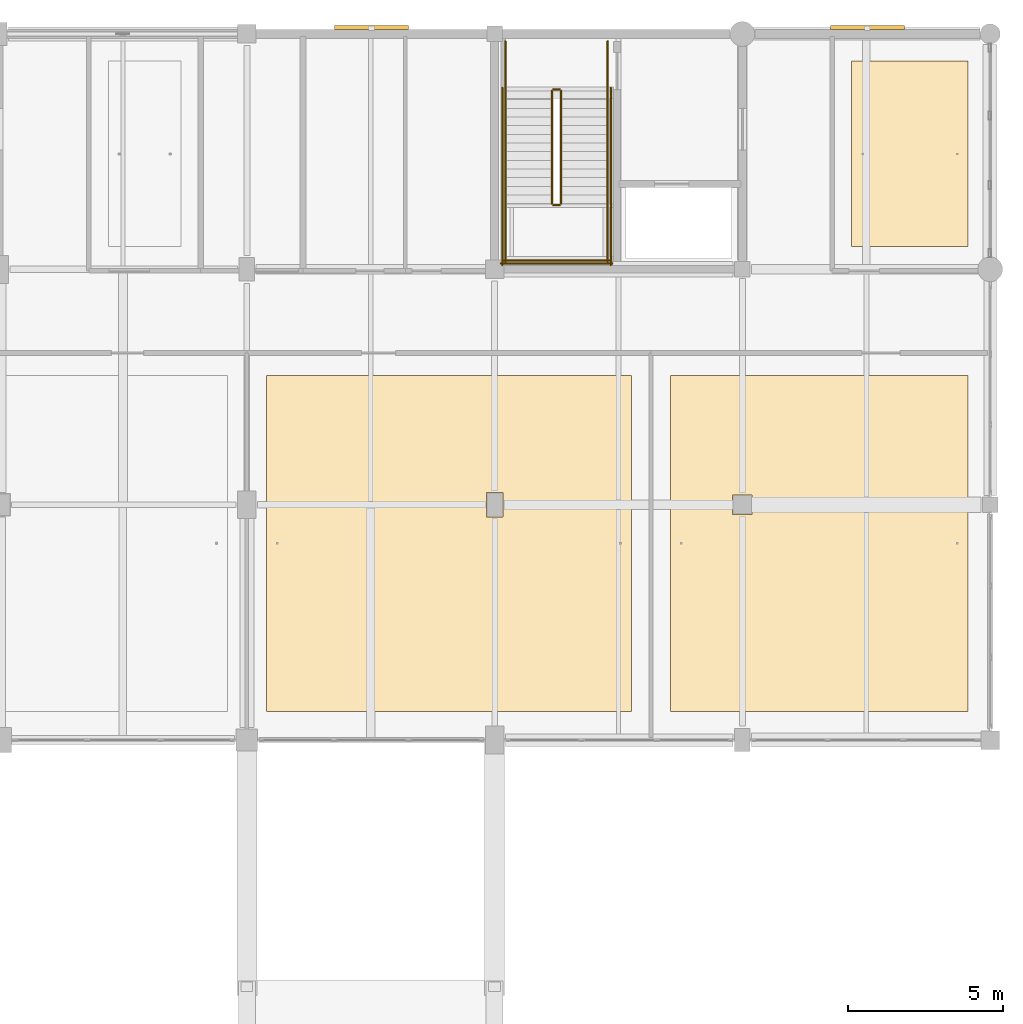
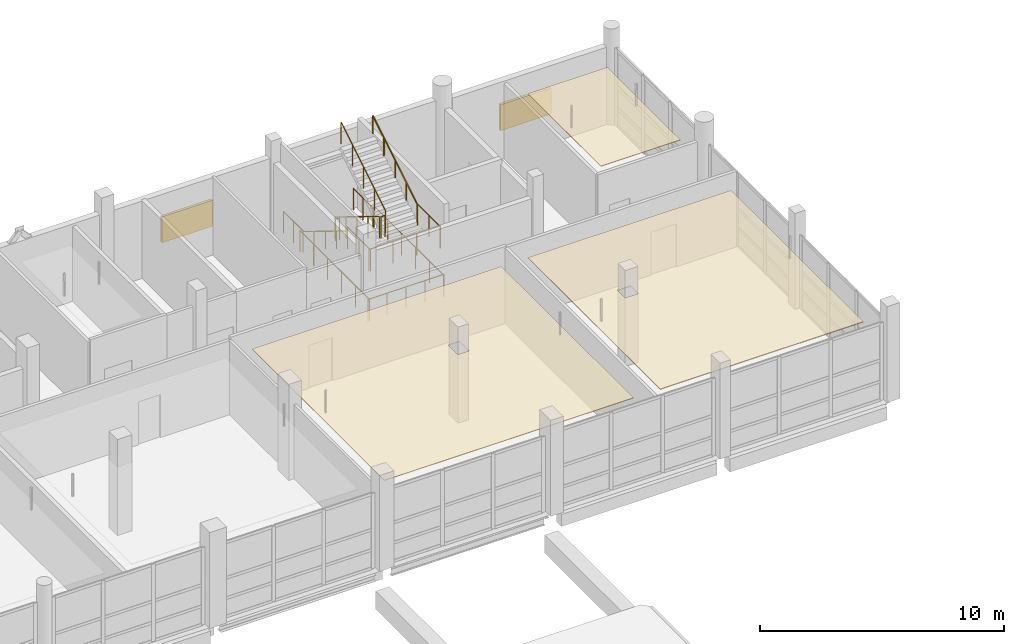
# One storey, part 107 of 107: 14 railings, 3 coverings, 2 shading devices.
"""IFC4 building model written with IfcOpenShell, lengths in metres."""

from ifc_helpers import new_model, si_unit, direction, frame, origin, origin_2d, place, context, subcontext, project, spatial, polyline, rectangle, circle, outline, extrude, material, layer, layer_set, type_object, element, save


model = new_model("IFC4")

# Units and contexts
model_context = context("Model", 3, precision=1e-05, world=origin(), true_north=direction((0.0, 1.0)))
body_context = subcontext(model_context, "Body", "Model", "MODEL_VIEW")
ifc_project = project(units=[si_unit("LENGTHUNIT", "METRE"), si_unit("AREAUNIT", "SQUARE_METRE"), si_unit("VOLUMEUNIT", "CUBIC_METRE"), si_unit("PLANEANGLEUNIT", "RADIAN"), si_unit("MASSUNIT", "GRAM", prefix="KILO")], contexts=[model_context])

# Site, building, storey
site_placement = place(None, origin())
site = spatial("IfcSite", under=ifc_project, at=site_placement, CompositionType="ELEMENT")
building_placement = place(site_placement, origin())
building = spatial("IfcBuilding", under=site, at=building_placement, Name="Khelvaren Railside Concert Hall", CompositionType="ELEMENT")
storey_placement = place(building_placement, frame((0.0, 0.0, 15.0)))
storey = spatial("IfcBuildingStorey", under=building, at=storey_placement, Name="L03", CompositionType="ELEMENT", Elevation=15.0)

# Coverings
ifc_material_1 = material(Name="Mineral-wool acoustic baffle ceiling", Category="gypsum")
ifc_layer_1 = layer(ifc_material_1, 0.0400390625)
ifc_layer_set_1 = layer_set([ifc_layer_1], Name="Mineral-wool acoustic baffle ceiling")
covering_type_1 = type_object("IfcCoveringType", Name="CLG20", PredefinedType="CEILING", material=ifc_layer_set_1)
covering_1_placement = place(storey_placement, frame((0.0, 0.0, 3.409912109375)))
element("IfcCovering", 1, at=covering_1_placement, inside=storey, type_object=covering_type_1, Name="Suspended Acoustic Ceiling Keyboard Tuning and Regulation Workshop", PredefinedType="CEILING", context=body_context, shape_type="SweptSolid", body=[
    extrude(outline(polyline([(173.677001953125, 92.1298828125), (183.2900390625, 92.1298828125), (183.2900390625, 102.969970703125), (173.677001953125, 102.969970703125), (173.677001953125, 92.1298828125)]), holes=[polyline([(175.68505859375, 98.485107421875), (176.31494140625, 98.485107421875), (176.31494140625, 99.114990234375), (175.68505859375, 99.114990234375), (175.68505859375, 98.485107421875)])]), origin(), (0.0, 0.0, 1.0), 0.0400390625),
])
ifc_material_2 = material(Name="Micro-perforated timber acoustic ceiling", Category="wood")
ifc_layer_2 = layer(ifc_material_2, 0.030029296875)
ifc_layer_set_2 = layer_set([ifc_layer_2], Name="Micro-perforated timber acoustic ceiling")
covering_type_2 = type_object("IfcCoveringType", Name="CLG77", PredefinedType="CEILING", material=ifc_layer_set_2)
covering_2_placement = place(storey_placement, frame((0.0, 0.0, 3.419921875)))
element("IfcCovering", 2, at=covering_2_placement, inside=storey, type_object=covering_type_2, Name="Suspended Acoustic Ceiling Performance Manuscript Lending Library", PredefinedType="CEILING", context=body_context, shape_type="SweptSolid", body=[
    extrude(outline(polyline([(160.6298828125, 92.1298828125), (172.4169921875, 92.1298828125), (172.4169921875, 102.969970703125), (160.6298828125, 102.969970703125), (160.6298828125, 92.1298828125)]), holes=[polyline([(167.735107421875, 98.409912109375), (168.264892578125, 98.409912109375), (168.264892578125, 99.18994140625), (167.735107421875, 99.18994140625), (167.735107421875, 98.409912109375)])]), origin(), (0.0, 0.0, 1.0), 0.030029296875),
])
covering_3_placement = place(storey_placement, frame((0.0, 0.0, 3.419921875)))
element("IfcCovering", 3, at=covering_3_placement, inside=storey, type_object=covering_type_2, Name="Suspended Acoustic Ceiling Ensemble Coaching Suite L03", PredefinedType="CEILING", context=body_context, shape_type="SweptSolid", body=[
    extrude(outline(polyline([(179.530029296875, 107.1298828125), (183.2900390625, 107.1298828125), (183.2900390625, 113.1201171875), (179.530029296875, 113.1201171875), (179.530029296875, 107.1298828125)])), origin(), (0.0, 0.0, 1.0), 0.030029296875),
])

# Railings
ifc_material_3 = material(Name="Painted architectural steel", Category="steel")
railing_type_1 = type_object("IfcRailingType", Name="GRD86", PredefinedType="GUARDRAIL", material=ifc_material_3)
railing_1_placement = place(storey_placement, frame((169.85009765625, 112.159912109375, 0.17138671875)))
element("IfcRailing", 4, at=railing_1_placement, inside=storey, type_object=railing_type_1, Name="L03 ST-10 stair guard 1", PredefinedType="GUARDRAIL", context=body_context, shape_type="SweptSolid", body=[
    extrude(circle(Radius=0.02392578125, at=origin_2d()), frame((0.0, 0.0, 1.076171875), z_axis=(0.0, -0.852850264322, 0.5221555579), x_axis=(1.0, 0.0, 0.0)), (0.0, 0.0, 1.0), 4.267822265625),
    extrude(circle(Radius=0.02099609375, at=origin_2d()), origin(), (0.0, 0.0, 1.0), 1.052001953125),
    extrude(circle(Radius=0.02099609375, at=origin_2d()), frame((0.0, -0.909912109375, 0.55712890625)), (0.0, 0.0, 1.0), 1.052001953125),
    extrude(circle(Radius=0.02099609375, at=origin_2d()), frame((0.0, -1.81982421875, 1.1142578125)), (0.0, 0.0, 1.0), 1.052001953125),
    extrude(circle(Radius=0.02099609375, at=origin_2d()), frame((0.0, -2.72998046875, 1.67138671875)), (0.0, 0.0, 1.0), 1.052001953125),
    extrude(circle(Radius=0.02099609375, at=origin_2d()), frame((0.0, -3.639892578125, 2.228515625)), (0.0, 0.0, 1.0), 1.052001953125),
])
railing_2_placement = place(storey_placement, frame((169.89990234375, 108.469970703125, 2.39990234375)))
element("IfcRailing", 5, at=railing_2_placement, inside=storey, type_object=railing_type_1, Name="L03 ST-10 stair guard 2", PredefinedType="GUARDRAIL", context=body_context, shape_type="SweptSolid", body=[
    extrude(circle(Radius=0.02392578125, at=origin_2d()), frame((0.0, 0.0, 1.076171875), z_axis=(1.0, 0.0, 0.0), x_axis=(0.0, 1.0, 0.0)), (0.0, 0.0, 1.0), 0.2001953125),
    extrude(circle(Radius=0.02099609375, at=origin_2d()), origin(), (0.0, 0.0, 1.0), 1.052001953125),
    extrude(circle(Radius=0.02099609375, at=origin_2d()), frame((0.2001953125, 0.0, 0.0)), (0.0, 0.0, 1.0), 1.052001953125),
])
for number, where, name in (
    (6, (168.35009765625, 108.52001953125, 2.39990234375), "L03 ST-10 stair guard 3"),
    (7, (171.64990234375, 108.52001953125, 2.39990234375), "L03 ST-10 stair guard 4"),
):
    element("IfcRailing", number, at=place(storey_placement, frame(where)), inside=storey, type_object=railing_type_1, Name=name, PredefinedType="GUARDRAIL", context=body_context, shape_type="SweptSolid", body=[
        extrude(circle(Radius=0.02392578125, at=origin_2d()), frame((0.0, 0.0, 1.076171875), z_axis=(0.0, -1.0, 0.0), x_axis=(1.0, 0.0, 0.0)), (0.0, 0.0, 1.0), 1.880126953125),
        extrude(circle(Radius=0.02099609375, at=origin_2d()), origin(), (0.0, 0.0, 1.0), 1.052001953125),
        extrude(circle(Radius=0.02099609375, at=origin_2d()), frame((0.0, -0.93994140625, 0.0)), (0.0, 0.0, 1.0), 1.052001953125),
        extrude(circle(Radius=0.02099609375, at=origin_2d()), frame((0.0, -1.880126953125, 0.0)), (0.0, 0.0, 1.0), 1.052001953125),
    ])
railing_3_placement = place(storey_placement, frame((168.300048828125, 106.68994140625, 2.39990234375)))
element("IfcRailing", 8, at=railing_3_placement, inside=storey, type_object=railing_type_1, Name="L03 ST-10 stair guard 5", PredefinedType="GUARDRAIL", context=body_context, shape_type="SweptSolid", body=[
    extrude(circle(Radius=0.02392578125, at=origin_2d()), frame((0.0, 0.0, 1.076171875), z_axis=(1.0, 0.0, 0.0), x_axis=(0.0, 1.0, 0.0)), (0.0, 0.0, 1.0), 3.39990234375),
    extrude(circle(Radius=0.02099609375, at=origin_2d()), origin(), (0.0, 0.0, 1.0), 1.052001953125),
    extrude(circle(Radius=0.02099609375, at=origin_2d()), frame((1.13330078125, 0.0, 0.0)), (0.0, 0.0, 1.0), 1.052001953125),
    extrude(circle(Radius=0.02099609375, at=origin_2d()), frame((2.2666015625, 0.0, 0.0)), (0.0, 0.0, 1.0), 1.052001953125),
    extrude(circle(Radius=0.02099609375, at=origin_2d()), frame((3.39990234375, 0.0, 0.0)), (0.0, 0.0, 1.0), 1.052001953125),
])
railing_4_placement = place(storey_placement, frame((170.14990234375, 108.52001953125, 2.571533203125)))
element("IfcRailing", 9, at=railing_4_placement, inside=storey, type_object=railing_type_1, Name="L03 ST-10 stair guard 6", PredefinedType="GUARDRAIL", context=body_context, shape_type="SweptSolid", body=[
    extrude(circle(Radius=0.02392578125, at=origin_2d()), frame((0.0, 0.0, 1.076171875), z_axis=(0.0, 0.852850264322, 0.5221555579), x_axis=(-1.0, 0.0, 0.0)), (0.0, 0.0, 1.0), 4.267822265625),
    extrude(circle(Radius=0.02099609375, at=origin_2d()), origin(), (0.0, 0.0, 1.0), 1.052001953125),
    extrude(circle(Radius=0.02099609375, at=origin_2d()), frame((0.0, 0.909912109375, 0.55712890625)), (0.0, 0.0, 1.0), 1.052001953125),
    extrude(circle(Radius=0.02099609375, at=origin_2d()), frame((0.0, 1.81982421875, 1.1142578125)), (0.0, 0.0, 1.0), 1.052001953125),
    extrude(circle(Radius=0.02099609375, at=origin_2d()), frame((0.0, 2.72998046875, 1.67138671875)), (0.0, 0.0, 1.0), 1.052001953125),
    extrude(circle(Radius=0.02099609375, at=origin_2d()), frame((0.0, 3.639892578125, 2.228515625)), (0.0, 0.0, 1.0), 1.052001953125),
])
railing_5_placement = place(storey_placement, frame((169.89990234375, 112.2099609375, 0.0)))
element("IfcRailing", 10, at=railing_5_placement, inside=storey, type_object=railing_type_1, Name="L03 ST-10 stair guard 7", PredefinedType="GUARDRAIL", context=body_context, shape_type="SweptSolid", body=[
    extrude(circle(Radius=0.02392578125, at=origin_2d()), frame((0.0, 0.0, 1.076171875), z_axis=(1.0, 0.0, 0.0), x_axis=(0.0, 1.0, 0.0)), (0.0, 0.0, 1.0), 0.2001953125),
    extrude(circle(Radius=0.02099609375, at=origin_2d()), origin(), (0.0, 0.0, 1.0), 1.052001953125),
    extrude(circle(Radius=0.02099609375, at=origin_2d()), frame((0.2001953125, 0.0, 0.0)), (0.0, 0.0, 1.0), 1.052001953125),
])
for number, where, name in (
    (11, (168.35009765625, 113.760009765625, 0.0), "L03 ST-10 stair guard 8"),
    (12, (171.64990234375, 113.760009765625, 0.0), "L03 ST-10 stair guard 9"),
):
    element("IfcRailing", number, at=place(storey_placement, frame(where)), inside=storey, type_object=railing_type_1, Name=name, PredefinedType="GUARDRAIL", context=body_context, shape_type="SweptSolid", body=[
        extrude(circle(Radius=0.02392578125, at=origin_2d()), frame((0.0, 0.0, 1.076171875), z_axis=(0.0, -1.0, 0.0), x_axis=(1.0, 0.0, 0.0)), (0.0, 0.0, 1.0), 1.60009765625),
        extrude(circle(Radius=0.02099609375, at=origin_2d()), origin(), (0.0, 0.0, 1.0), 1.052001953125),
        extrude(circle(Radius=0.02099609375, at=origin_2d()), frame((0.0, -0.800048828125, 0.0)), (0.0, 0.0, 1.0), 1.052001953125),
        extrude(circle(Radius=0.02099609375, at=origin_2d()), frame((0.0, -1.60009765625, 0.0)), (0.0, 0.0, 1.0), 1.052001953125),
    ])
for number, where, name in (
    (13, (168.25, 112.260009765625, 0.0), "L03 ST-10 stair guard 10"),
    (14, (171.75, 112.260009765625, 0.0), "L03 ST-10 stair guard 11"),
):
    element("IfcRailing", number, at=place(storey_placement, frame(where)), inside=storey, type_object=railing_type_1, Name=name, PredefinedType="GUARDRAIL", context=body_context, shape_type="SweptSolid", body=[
        extrude(circle(Radius=0.02392578125, at=origin_2d()), frame((0.0, 0.0, 1.076171875), z_axis=(0.0, -1.0, 0.0), x_axis=(1.0, 0.0, 0.0)), (0.0, 0.0, 1.0), 5.719970703125),
        extrude(circle(Radius=0.02099609375, at=origin_2d()), origin(), (0.0, 0.0, 1.0), 1.052001953125),
        extrude(circle(Radius=0.02099609375, at=origin_2d()), frame((0.0, -1.14404296875, 0.0)), (0.0, 0.0, 1.0), 1.052001953125),
        extrude(circle(Radius=0.02099609375, at=origin_2d()), frame((0.0, -2.2880859375, 0.0)), (0.0, 0.0, 1.0), 1.052001953125),
        extrude(circle(Radius=0.02099609375, at=origin_2d()), frame((0.0, -3.431884765625, 0.0)), (0.0, 0.0, 1.0), 1.052001953125),
        extrude(circle(Radius=0.02099609375, at=origin_2d()), frame((0.0, -4.575927734375, 0.0)), (0.0, 0.0, 1.0), 1.052001953125),
        extrude(circle(Radius=0.02099609375, at=origin_2d()), frame((0.0, -5.719970703125, 0.0)), (0.0, 0.0, 1.0), 1.052001953125),
    ])
railing_6_placement = place(storey_placement, frame((168.199951171875, 106.590087890625, 0.0)))
element("IfcRailing", 15, at=railing_6_placement, inside=storey, type_object=railing_type_1, Name="L03 ST-10 stair guard 12", PredefinedType="GUARDRAIL", context=body_context, shape_type="SweptSolid", body=[
    extrude(circle(Radius=0.02392578125, at=origin_2d()), frame((0.0, 0.0, 1.076171875), z_axis=(1.0, 0.0, 0.0), x_axis=(0.0, 1.0, 0.0)), (0.0, 0.0, 1.0), 3.60009765625),
    extrude(circle(Radius=0.02099609375, at=origin_2d()), origin(), (0.0, 0.0, 1.0), 1.052001953125),
    extrude(circle(Radius=0.02099609375, at=origin_2d()), frame((0.89990234375, 0.0, 0.0)), (0.0, 0.0, 1.0), 1.052001953125),
    extrude(circle(Radius=0.02099609375, at=origin_2d()), frame((1.800048828125, 0.0, 0.0)), (0.0, 0.0, 1.0), 1.052001953125),
    extrude(circle(Radius=0.02099609375, at=origin_2d()), frame((2.7001953125, 0.0, 0.0)), (0.0, 0.0, 1.0), 1.052001953125),
    extrude(circle(Radius=0.02099609375, at=origin_2d()), frame((3.60009765625, 0.0, 0.0)), (0.0, 0.0, 1.0), 1.052001953125),
])
ifc_material_4 = material(Name="Brushed stainless steel Grade 316", Category="steel")
railing_type_2 = type_object("IfcRailingType", Name="HRL59", PredefinedType="HANDRAIL", material=ifc_material_4)
railing_7_placement = place(storey_placement, frame((168.35009765625, 112.159912109375, 0.17138671875)))
element("IfcRailing", 16, at=railing_7_placement, inside=storey, type_object=railing_type_2, Name="L03 ST-10 stair handrail 1", PredefinedType="HANDRAIL", context=body_context, shape_type="SweptSolid", body=[
    extrude(circle(Radius=0.02392578125, at=origin_2d()), frame((0.0, 0.0, 0.8759765625), z_axis=(0.0, -0.852850264322, 0.5221555579), x_axis=(1.0, 0.0, 0.0)), (0.0, 0.0, 1.0), 4.267822265625),
    extrude(circle(Radius=0.02099609375, at=origin_2d()), origin(), (0.0, 0.0, 1.0), 0.851806640625),
    extrude(circle(Radius=0.02099609375, at=origin_2d()), frame((0.0, -0.909912109375, 0.55712890625)), (0.0, 0.0, 1.0), 0.851806640625),
    extrude(circle(Radius=0.02099609375, at=origin_2d()), frame((0.0, -1.81982421875, 1.1142578125)), (0.0, 0.0, 1.0), 0.851806640625),
    extrude(circle(Radius=0.02099609375, at=origin_2d()), frame((0.0, -2.72998046875, 1.67138671875)), (0.0, 0.0, 1.0), 0.851806640625),
    extrude(circle(Radius=0.02099609375, at=origin_2d()), frame((0.0, -3.639892578125, 2.228515625)), (0.0, 0.0, 1.0), 0.851806640625),
])
railing_8_placement = place(storey_placement, frame((171.64990234375, 108.52001953125, 2.571533203125)))
element("IfcRailing", 17, at=railing_8_placement, inside=storey, type_object=railing_type_2, Name="L03 ST-10 stair handrail 2", PredefinedType="HANDRAIL", context=body_context, shape_type="SweptSolid", body=[
    extrude(circle(Radius=0.02392578125, at=origin_2d()), frame((0.0, 0.0, 0.8759765625), z_axis=(0.0, 0.852850264322, 0.5221555579), x_axis=(-1.0, 0.0, 0.0)), (0.0, 0.0, 1.0), 4.267822265625),
    extrude(circle(Radius=0.02099609375, at=origin_2d()), origin(), (0.0, 0.0, 1.0), 0.851806640625),
    extrude(circle(Radius=0.02099609375, at=origin_2d()), frame((0.0, 0.909912109375, 0.55712890625)), (0.0, 0.0, 1.0), 0.851806640625),
    extrude(circle(Radius=0.02099609375, at=origin_2d()), frame((0.0, 1.81982421875, 1.1142578125)), (0.0, 0.0, 1.0), 0.851806640625),
    extrude(circle(Radius=0.02099609375, at=origin_2d()), frame((0.0, 2.72998046875, 1.67138671875)), (0.0, 0.0, 1.0), 0.851806640625),
    extrude(circle(Radius=0.02099609375, at=origin_2d()), frame((0.0, 3.639892578125, 2.228515625)), (0.0, 0.0, 1.0), 0.851806640625),
])

# Shading devices
ifc_material_5 = material(Name="Anodised bronze aluminium 6063-T6", Category="aluminium")
shading_device_type = type_object("IfcShadingDeviceType", Name="LVR71", PredefinedType="JALOUSIE", material=ifc_material_5)
for number, where, z_axis, x_axis, name in (
    (18, (164.02490234375, 114.2099609375, 1.2001953125), (0.0, 0.0, 1.0), (1.0, 0.0, 0.0), "Acoustic Weather Louvre EW-V5-L03-N-160"),
    (19, (180.03759765625, 114.2099609375, 1.2001953125), (0.0, 0.0, 1.0), (1.0, 0.0, 0.0), "Acoustic Weather Louvre EW-V5-L03-N-176"),
):
    element("IfcShadingDevice", number, at=place(storey_placement, frame(where, z_axis=z_axis, x_axis=x_axis)), inside=storey, type_object=shading_device_type, Name=name, PredefinedType="JALOUSIE", context=body_context, shape_type="SweptSolid", body=[
        extrude(rectangle(XDim=2.39990234375, YDim=0.1201171875, at=origin_2d()), origin(), (0.0, 0.0, 1.0), 1.300048828125),
    ])

save(model, "model.ifc")
